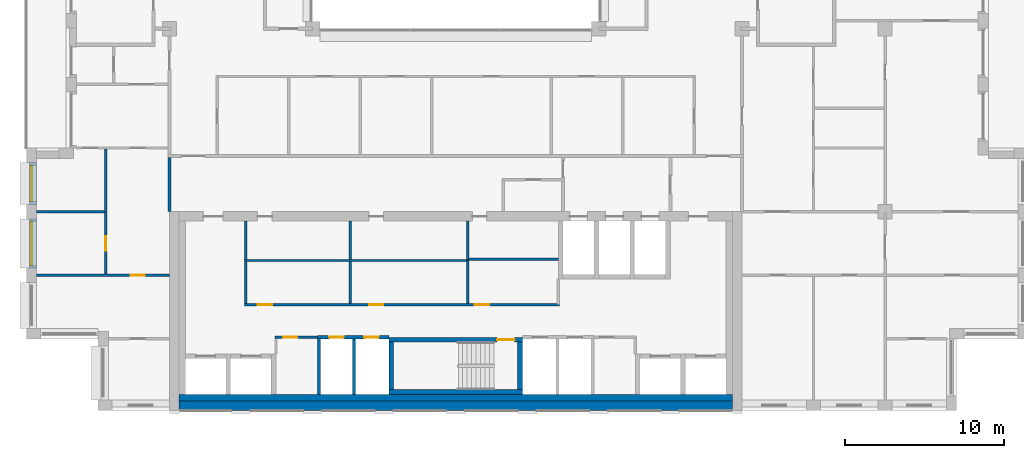
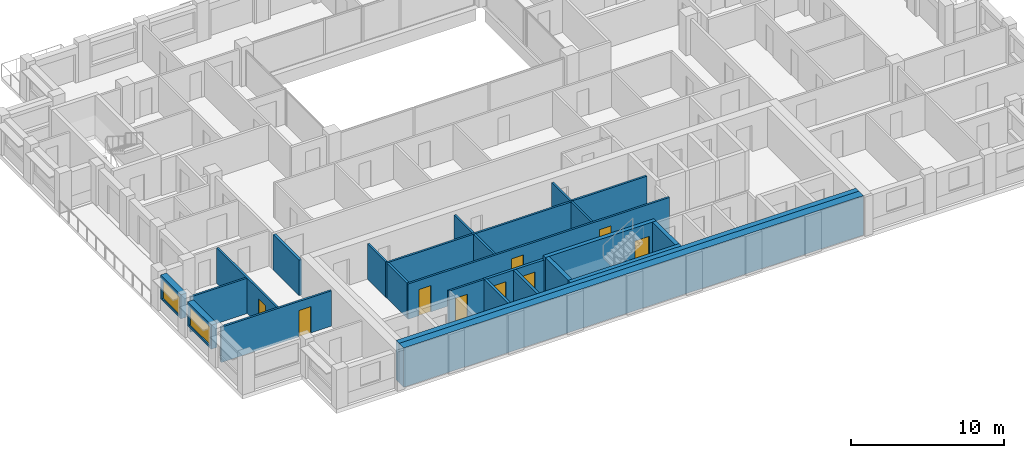
# One storey, part 8 of 15: 25 walls, 9 doors, 2 windows, 11 openings.
"""IFC4 building model written with IfcOpenShell, lengths in metres."""

from ifc_helpers import new_model, si_unit, direction, frame, frame_2d, origin, place, context, subcontext, project, spatial, rectangle, extrude, material, layer, layer_set, type_object, element, fill, save


model = new_model("IFC4")

# Units and contexts
model_context = context("Model", 3, precision=1e-05, world=origin(), true_north=direction((0.0, 1.0)))
body_context = subcontext(model_context, "Body", "Model", "MODEL_VIEW")
ifc_project = project(units=[si_unit("LENGTHUNIT", "METRE"), si_unit("AREAUNIT", "SQUARE_METRE"), si_unit("VOLUMEUNIT", "CUBIC_METRE"), si_unit("PLANEANGLEUNIT", "RADIAN"), si_unit("MASSUNIT", "GRAM", prefix="KILO")], contexts=[model_context])

# Site, building, storey
site_placement = place(None, origin())
site = spatial("IfcSite", under=ifc_project, at=site_placement, CompositionType="ELEMENT")
building_placement = place(site_placement, origin())
building = spatial("IfcBuilding", under=site, at=building_placement, Name="Brigalow Station Residences", CompositionType="ELEMENT")
storey_placement = place(building_placement, frame((0.0, 0.0, 229.5)))
storey = spatial("IfcBuildingStorey", under=building, at=storey_placement, Name="L66", CompositionType="ELEMENT", Elevation=229.5)

# Wall, opening, window
ifc_material_1 = material(Name="Clay brick masonry", Category="masonry")
ifc_layer_1 = layer(ifc_material_1, 0.449951171875)
ifc_layer_set_1 = layer_set([ifc_layer_1], Name="BRICK INFILL WALL 450")
wall_type_1 = type_object("IfcWallType", Name="BRICK INFILL WALL 450", PredefinedType="SOLIDWALL", material=ifc_layer_set_1)
wall_1_placement = place(storey_placement, frame((9.425048828125, 15.60009765625, 0.89990234375), z_axis=(0.0, 0.0, 1.0), x_axis=(0.0, -1.0, 0.0)))
wall_1 = element("IfcWall", 1, at=wall_1_placement, inside=storey, type_object=wall_type_1, Name="L66/ewall/W-L66-41", PredefinedType="SOLIDWALL", context=body_context, shape_type="SweptSolid", body=[
    extrude(rectangle(XDim=2.650146484375, YDim=0.449951171875, at=frame_2d((1.3251953125, 0.0))), origin(), (0.0, 0.0, 1.0), 1.93017578125),
])
opening_1_placement = place(wall_1_placement, frame((0.199951171875, 0.0, 0.14990234375)))
opening_1 = element("IfcOpeningElement", 2, at=opening_1_placement, cuts=wall_1, Name="Opening WT-6", PredefinedType="OPENING", context=body_context, shape_type="SweptSolid", body=[
    extrude(rectangle(XDim=2.25, YDim=1.5, at=frame_2d((1.125, 0.75))), frame((0.0, 0.23486328125, 0.0), z_axis=(0.0, -1.0, 0.0), x_axis=(1.0, 0.0, 0.0)), (0.0, 0.0, 1.0), 0.469970703125),
])
ifc_material_2 = material(Name="Anodised aluminium frame with double glazing", Category="aluminium")
window_type_1 = type_object("IfcWindowType", Name="WINDOW 2250x1500", PartitioningType="SINGLE_PANEL", PredefinedType="WINDOW", material=ifc_material_2)
window_1_placement = place(opening_1_placement, origin())
window_1 = element("IfcWindow", 3, at=window_1_placement, inside=storey, type_object=window_type_1, Name="L66/window/W-L66-41", OverallHeight=1.5, OverallWidth=2.25, PartitioningType="SINGLE_PANEL", PredefinedType="WINDOW", context=body_context, shape_type="SweptSolid", body=[
    extrude(rectangle(XDim=2.25, YDim=1.5, at=frame_2d((1.125, 0.75))), frame((0.0, -0.06494140625, 0.0), z_axis=(0.0, -1.0, 0.0), x_axis=(1.0, 0.0, 0.0)), (0.0, 0.0, 1.0), 0.06005859375),
])
fill(opening_1, window_1)

wall_2_placement = place(storey_placement, frame((9.425048828125, 12.050048828125, 0.89990234375), z_axis=(0.0, 0.0, 1.0), x_axis=(0.0, -1.0, 0.0)))
wall_2 = element("IfcWall", 4, at=wall_2_placement, inside=storey, type_object=wall_type_1, Name="L66/ewall/W-L66-42", PredefinedType="SOLIDWALL", context=body_context, shape_type="SweptSolid", body=[
    extrude(rectangle(XDim=3.10009765625, YDim=0.449951171875, at=frame_2d((1.550048828125, 0.0))), origin(), (0.0, 0.0, 1.0), 1.93017578125),
])
opening_2_placement = place(wall_2_placement, frame((0.175048828125, 0.0, 0.14990234375)))
opening_2 = element("IfcOpeningElement", 5, at=opening_2_placement, cuts=wall_2, Name="Opening WT-3", PredefinedType="OPENING", context=body_context, shape_type="SweptSolid", body=[
    extrude(rectangle(XDim=2.75, YDim=1.5, at=frame_2d((1.375, 0.75))), frame((0.0, 0.23486328125, 0.0), z_axis=(0.0, -1.0, 0.0), x_axis=(1.0, 0.0, 0.0)), (0.0, 0.0, 1.0), 0.469970703125),
])
ifc_material_3 = material(Name="Anodised aluminium frame with double glazing", Category="aluminium")
window_type_2 = type_object("IfcWindowType", Name="WINDOW 2750x1500", PartitioningType="SINGLE_PANEL", PredefinedType="WINDOW", material=ifc_material_3)
window_2_placement = place(opening_2_placement, origin())
window_2 = element("IfcWindow", 6, at=window_2_placement, inside=storey, type_object=window_type_2, Name="L66/window/W-L66-42", OverallHeight=1.5, OverallWidth=2.75, PartitioningType="SINGLE_PANEL", PredefinedType="WINDOW", context=body_context, shape_type="SweptSolid", body=[
    extrude(rectangle(XDim=2.75, YDim=1.5, at=frame_2d((1.375, 0.75))), frame((0.0, -0.06494140625, 0.0), z_axis=(0.0, -1.0, 0.0), x_axis=(1.0, 0.0, 0.0)), (0.0, 0.0, 1.0), 0.06005859375),
])
fill(opening_2, window_2)

# Wall
ifc_material_4 = material(Name="Concrete C50", Category="concrete")
ifc_layer_2 = layer(ifc_material_4, 0.300048828125)
ifc_layer_set_2 = layer_set([ifc_layer_2], Name="CORE SHEAR WALL 300 C50")
wall_type_2 = type_object("IfcWallType", Name="CORE SHEAR WALL 300 C50", PredefinedType="SHEAR", material=ifc_layer_set_2)
wall_3_placement = place(storey_placement, frame((31.800048828125, 1.14990234375, 0.0), z_axis=(0.0, 0.0, 1.0), x_axis=(1.0, 0.0, 0.0)))
element("IfcWall", 7, at=wall_3_placement, inside=storey, type_object=wall_type_2, Name="CORE WALL ST-S2-S L66", PredefinedType="SHEAR", context=body_context, shape_type="SweptSolid", body=[
    extrude(rectangle(XDim=8.39990234375, YDim=0.300048828125, at=frame_2d((4.199951171875, 0.0))), origin(), (0.0, 0.0, 1.0), 3.14990234375),
])

# Wall, opening, door
wall_4_placement = place(storey_placement, frame((31.800048828125, 4.449951171875, 0.0), z_axis=(0.0, 0.0, 1.0), x_axis=(1.0, 0.0, 0.0)))
wall_4 = element("IfcWall", 8, at=wall_4_placement, inside=storey, type_object=wall_type_2, Name="CORE WALL ST-S2-N L66", PredefinedType="SHEAR", context=body_context, shape_type="SweptSolid", body=[
    extrude(rectangle(XDim=8.39990234375, YDim=0.300048828125, at=frame_2d((4.199951171875, 0.0))), origin(), (0.0, 0.0, 1.0), 3.14990234375),
])
opening_3_placement = place(wall_4_placement, frame((6.800048828125, 0.0, 0.0)))
opening_3 = element("IfcOpeningElement", 9, at=opening_3_placement, cuts=wall_4, Name="Opening D-5001", PredefinedType="OPENING", context=body_context, shape_type="SweptSolid", body=[
    extrude(rectangle(XDim=1.10009765625, YDim=2.10009765625, at=frame_2d((0.550048828125, 1.050048828125))), frame((0.0, 0.16015625, 0.0), z_axis=(0.0, -1.0, 0.0), x_axis=(1.0, 0.0, 0.0)), (0.0, 0.0, 1.0), 0.320068359375),
])
ifc_material_5 = material(Name="Steel fire door leaf in steel frame", Category="steel")
door_type_1 = type_object("IfcDoorType", Name="STAIR DOOR 1100 x 2100 FD60S", OperationType="SINGLE_SWING_LEFT", PredefinedType="DOOR", material=ifc_material_5)
door_1_placement = place(opening_3_placement, frame((1.10009765625, 0.0, 0.0), z_axis=(0.0, 0.0, 1.0), x_axis=(-1.0, 0.0, 0.0)))
door_1 = element("IfcDoor", 10, at=door_1_placement, inside=storey, type_object=door_type_1, Name="D-5001", OperationType="SINGLE_SWING_LEFT", OverallHeight=2.10009765625, OverallWidth=1.10009765625, PredefinedType="DOOR", context=body_context, shape_type="SweptSolid", body=[
    extrude(rectangle(XDim=1.10009765625, YDim=2.10009765625, at=frame_2d((0.550048828125, 1.050048828125))), frame((0.0, 0.02490234375, 0.0), z_axis=(0.0, -1.0, 0.0), x_axis=(1.0, 0.0, 0.0)), (0.0, 0.0, 1.0), 0.050048828125),
])
fill(opening_3, door_1)

# Walls
for number, where, z_axis, x_axis, name in (
    (11, (31.949951171875, 1.300048828125, 0.0), (0.0, 0.0, 1.0), (0.0, 1.0, 0.0), "CORE WALL ST-S2-W L66"),
    (12, (40.050048828125, 1.300048828125, 0.0), (0.0, 0.0, 1.0), (0.0, 1.0, 0.0), "CORE WALL ST-S2-E L66"),
):
    element("IfcWall", number, at=place(storey_placement, frame(where, z_axis=z_axis, x_axis=x_axis)), inside=storey, type_object=wall_type_2, Name=name, PredefinedType="SHEAR", context=body_context, shape_type="SweptSolid", body=[
        extrude(rectangle(XDim=3.0, YDim=0.300048828125, at=frame_2d((1.5, 0.0))), origin(), (0.0, 0.0, 1.0), 3.14990234375),
    ])
ifc_material_6 = material(Name="Concrete C50", Category="concrete")
ifc_layer_3 = layer(ifc_material_6, 0.39990234375)
ifc_layer_set_3 = layer_set([ifc_layer_3], Name="CORE SHEAR WALL 400 C50")
wall_type_3 = type_object("IfcWallType", Name="CORE SHEAR WALL 400 C50", PredefinedType="SHEAR", material=ifc_layer_set_3)
wall_5_placement = place(storey_placement, frame((18.60009765625, 0.800048828125, 0.0), z_axis=(0.0, 0.0, 1.0), x_axis=(1.0, 0.0, 0.0)))
element("IfcWall", 13, at=wall_5_placement, inside=storey, type_object=wall_type_3, Name="CORE WALL LIN-S L66", PredefinedType="SHEAR", context=body_context, shape_type="SweptSolid", body=[
    extrude(rectangle(XDim=34.7998046875, YDim=0.39990234375, at=frame_2d((17.39990234375, 0.0))), origin(), (0.0, 0.0, 1.0), 3.14990234375),
])
ifc_material_7 = material(Name="Concrete C50", Category="concrete")
ifc_layer_4 = layer(ifc_material_7, 0.60009765625)
ifc_layer_set_4 = layer_set([ifc_layer_4], Name="CORE SHEAR WALL 600 C50")
wall_type_4 = type_object("IfcWallType", Name="CORE SHEAR WALL 600 C50", PredefinedType="SHEAR", material=ifc_layer_set_4)
wall_6_placement = place(storey_placement, frame((18.60009765625, 0.300048828125, 0.0), z_axis=(0.0, 0.0, 1.0), x_axis=(1.0, 0.0, 0.0)))
element("IfcWall", 14, at=wall_6_placement, inside=storey, type_object=wall_type_4, Name="CORE WALL OUT-S L66", PredefinedType="SHEAR", context=body_context, shape_type="SweptSolid", body=[
    extrude(rectangle(XDim=34.7998046875, YDim=0.60009765625, at=frame_2d((17.39990234375, 0.0))), origin(), (0.0, 0.0, 1.0), 3.14990234375),
])

# Wall, openings, doors
ifc_material_8 = material(Name="Concrete blockwork", Category="masonry")
ifc_layer_5 = layer(ifc_material_8, 0.199951171875)
ifc_layer_set_5 = layer_set([ifc_layer_5], Name="FIRE RATED CORE PARTITION 200")
wall_type_5 = type_object("IfcWallType", Name="FIRE RATED CORE PARTITION 200", PredefinedType="PARTITIONING", material=ifc_layer_set_5)
wall_7_placement = place(storey_placement, frame((27.300048828125, 4.60009765625, 0.0), z_axis=(0.0, 0.0, 1.0), x_axis=(1.0, 0.0, 0.0)))
wall_7 = element("IfcWall", 15, at=wall_7_placement, inside=storey, type_object=wall_type_5, Name="PW-5017", PredefinedType="PARTITIONING", context=body_context, shape_type="SweptSolid", body=[
    extrude(rectangle(XDim=4.5, YDim=0.199951171875, at=frame_2d((2.25, 0.0))), origin(), (0.0, 0.0, 1.0), 2.830078125),
])
opening_4_placement = place(wall_7_placement, frame((0.75, 0.0, 0.0)))
opening_4 = element("IfcOpeningElement", 16, at=opening_4_placement, cuts=wall_7, Name="Opening D-5007", PredefinedType="OPENING", context=body_context, shape_type="SweptSolid", body=[
    extrude(rectangle(XDim=0.89990234375, YDim=2.10009765625, at=frame_2d((0.449951171875, 1.050048828125))), frame((0.0, 0.10986328125, 0.0), z_axis=(0.0, -1.0, 0.0), x_axis=(1.0, 0.0, 0.0)), (0.0, 0.0, 1.0), 0.219970703125),
])
opening_5_placement = place(wall_7_placement, frame((2.949951171875, 0.0, 0.0)))
opening_5 = element("IfcOpeningElement", 17, at=opening_5_placement, cuts=wall_7, Name="Opening D-5008", PredefinedType="OPENING", context=body_context, shape_type="SweptSolid", body=[
    extrude(rectangle(XDim=0.89990234375, YDim=2.10009765625, at=frame_2d((0.449951171875, 1.050048828125))), frame((0.0, 0.10986328125, 0.0), z_axis=(0.0, -1.0, 0.0), x_axis=(1.0, 0.0, 0.0)), (0.0, 0.0, 1.0), 0.219970703125),
])
ifc_material_9 = material(Name="Steel fire door leaf in steel frame", Category="steel")
door_type_2 = type_object("IfcDoorType", Name="RISER ACCESS DOOR 900 x 2100 FD120", OperationType="SINGLE_SWING_LEFT", PredefinedType="DOOR", material=ifc_material_9)
door_2_placement = place(opening_4_placement, frame((0.89990234375, 0.0, 0.0), z_axis=(0.0, 0.0, 1.0), x_axis=(-1.0, 0.0, 0.0)))
door_2 = element("IfcDoor", 18, at=door_2_placement, inside=storey, type_object=door_type_2, Name="D-5007", OperationType="SINGLE_SWING_RIGHT", OverallHeight=2.10009765625, OverallWidth=0.89990234375, PredefinedType="DOOR", context=body_context, shape_type="SweptSolid", body=[
    extrude(rectangle(XDim=0.89990234375, YDim=2.10009765625, at=frame_2d((0.449951171875, 1.050048828125))), frame((0.0, 0.02490234375, 0.0), z_axis=(0.0, -1.0, 0.0), x_axis=(1.0, 0.0, 0.0)), (0.0, 0.0, 1.0), 0.050048828125),
])
fill(opening_4, door_2)
door_3_placement = place(opening_5_placement, frame((0.89990234375, 0.0, 0.0), z_axis=(0.0, 0.0, 1.0), x_axis=(-1.0, 0.0, 0.0)))
door_3 = element("IfcDoor", 19, at=door_3_placement, inside=storey, type_object=door_type_2, Name="D-5008", OperationType="SINGLE_SWING_RIGHT", OverallHeight=2.10009765625, OverallWidth=0.89990234375, PredefinedType="DOOR", context=body_context, shape_type="SweptSolid", body=[
    extrude(rectangle(XDim=0.89990234375, YDim=2.10009765625, at=frame_2d((0.449951171875, 1.050048828125))), frame((0.0, 0.02490234375, 0.0), z_axis=(0.0, -1.0, 0.0), x_axis=(1.0, 0.0, 0.0)), (0.0, 0.0, 1.0), 0.050048828125),
])
fill(opening_5, door_3)

# Walls
wall_8_placement = place(storey_placement, frame((27.39990234375, 1.0, 0.0), z_axis=(0.0, 0.0, 1.0), x_axis=(0.0, 1.0, 0.0)))
element("IfcWall", 20, at=wall_8_placement, inside=storey, type_object=wall_type_5, Name="PW-5027", PredefinedType="PARTITIONING", context=body_context, shape_type="SweptSolid", body=[
    extrude(rectangle(XDim=3.52490234375, YDim=0.199951171875, at=frame_2d((1.762451171875, 0.0))), origin(), (0.0, 0.0, 1.0), 2.830078125),
])
wall_9_placement = place(storey_placement, frame((29.60009765625, 1.0, 0.0), z_axis=(0.0, 0.0, 1.0), x_axis=(0.0, 1.0, 0.0)))
element("IfcWall", 21, at=wall_9_placement, inside=storey, type_object=wall_type_5, Name="PW-5006", PredefinedType="PARTITIONING", context=body_context, shape_type="SweptSolid", body=[
    extrude(rectangle(XDim=3.5, YDim=0.199951171875, at=frame_2d((1.75, 0.0))), origin(), (0.0, 0.0, 1.0), 2.830078125),
])
wall_10_placement = place(storey_placement, frame((18.0, 12.5, 0.0), z_axis=(0.0, 0.0, 1.0), x_axis=(0.0, 1.0, 0.0)))
element("IfcWall", 22, at=wall_10_placement, inside=storey, type_object=wall_type_5, Name="PW-5013", PredefinedType="PARTITIONING", context=body_context, shape_type="SweptSolid", body=[
    extrude(rectangle(XDim=3.39990234375, YDim=0.199951171875, at=frame_2d((1.699951171875, 0.0))), origin(), (0.0, 0.0, 1.0), 2.830078125),
])
ifc_material_10 = material(Name="Plasterboard on steel stud partition", Category="steel")
ifc_layer_6 = layer(ifc_material_10, 0.14990234375)
ifc_layer_set_6 = layer_set([ifc_layer_6], Name="FLAT PARTITION 150")
wall_type_6 = type_object("IfcWallType", Name="FLAT PARTITION 150", PredefinedType="PARTITIONING", material=ifc_layer_set_6)
wall_11_placement = place(storey_placement, frame((9.64990234375, 12.5, 0.0), z_axis=(0.0, 0.0, 1.0), x_axis=(1.0, 0.0, 0.0)))
element("IfcWall", 23, at=wall_11_placement, inside=storey, type_object=wall_type_6, Name="PW-4E11", PredefinedType="PARTITIONING", context=body_context, shape_type="SweptSolid", body=[
    extrude(rectangle(XDim=4.275146484375, YDim=0.14990234375, at=frame_2d((2.1376953125, 0.0))), origin(), (0.0, 0.0, 1.0), 2.830078125),
])

# Wall, opening, door
wall_12_placement = place(storey_placement, frame((9.64990234375, 8.5, 0.0), z_axis=(0.0, 0.0, 1.0), x_axis=(1.0, 0.0, 0.0)))
wall_12 = element("IfcWall", 24, at=wall_12_placement, inside=storey, type_object=wall_type_6, Name="PW-4E13", PredefinedType="PARTITIONING", context=body_context, shape_type="SweptSolid", body=[
    extrude(rectangle(XDim=8.35009765625, YDim=0.14990234375, at=frame_2d((4.175048828125, 0.0))), origin(), (0.0, 0.0, 1.0), 2.830078125),
])
opening_6_placement = place(wall_12_placement, frame((5.89990234375, 0.0, 0.0)))
opening_6 = element("IfcOpeningElement", 25, at=opening_6_placement, cuts=wall_12, Name="Opening D-4E09", PredefinedType="OPENING", context=body_context, shape_type="SweptSolid", body=[
    extrude(rectangle(XDim=0.89990234375, YDim=2.10009765625, at=frame_2d((0.449951171875, 1.050048828125))), frame((0.0, 0.0849609375, 0.0), z_axis=(0.0, -1.0, 0.0), x_axis=(1.0, 0.0, 0.0)), (0.0, 0.0, 1.0), 0.169921875),
])
ifc_material_11 = material(Name="Solid-core timber door leaf", Category="wood")
door_type_3 = type_object("IfcDoorType", Name="INTERNAL DOOR 900 x 2100", OperationType="SINGLE_SWING_LEFT", PredefinedType="DOOR", material=ifc_material_11)
door_4_placement = place(opening_6_placement, frame((0.89990234375, 0.0, 0.0), z_axis=(0.0, 0.0, 1.0), x_axis=(-1.0, 0.0, 0.0)))
door_4 = element("IfcDoor", 26, at=door_4_placement, inside=storey, type_object=door_type_3, Name="D-4E09", OperationType="SINGLE_SWING_LEFT", OverallHeight=2.10009765625, OverallWidth=0.89990234375, PredefinedType="DOOR", context=body_context, shape_type="SweptSolid", body=[
    extrude(rectangle(XDim=0.89990234375, YDim=2.10009765625, at=frame_2d((0.449951171875, 1.050048828125))), frame((0.0, 0.02490234375, 0.0), z_axis=(0.0, -1.0, 0.0), x_axis=(1.0, 0.0, 0.0)), (0.0, 0.0, 1.0), 0.050048828125),
])
fill(opening_6, door_4)

wall_13_placement = place(storey_placement, frame((14.0, 8.574951171875, 0.0), z_axis=(0.0, 0.0, 1.0), x_axis=(0.0, 1.0, 0.0)))
wall_13 = element("IfcWall", 27, at=wall_13_placement, inside=storey, type_object=wall_type_6, Name="PW-4E40", PredefinedType="PARTITIONING", context=body_context, shape_type="SweptSolid", body=[
    extrude(rectangle(XDim=7.85009765625, YDim=0.14990234375, at=frame_2d((3.925048828125, 0.0))), origin(), (0.0, 0.0, 1.0), 2.830078125),
])
opening_7_placement = place(wall_13_placement, frame((1.47509765625, 0.0, 0.0)))
opening_7 = element("IfcOpeningElement", 28, at=opening_7_placement, cuts=wall_13, Name="Opening D-4E08", PredefinedType="OPENING", context=body_context, shape_type="SweptSolid", body=[
    extrude(rectangle(XDim=0.89990234375, YDim=2.10009765625, at=frame_2d((0.449951171875, 1.050048828125))), frame((0.0, 0.0849609375, 0.0), z_axis=(0.0, -1.0, 0.0), x_axis=(1.0, 0.0, 0.0)), (0.0, 0.0, 1.0), 0.169921875),
])
door_5_placement = place(opening_7_placement, origin())
door_5 = element("IfcDoor", 29, at=door_5_placement, inside=storey, type_object=door_type_3, Name="D-4E08", OperationType="SINGLE_SWING_RIGHT", OverallHeight=2.10009765625, OverallWidth=0.89990234375, PredefinedType="DOOR", context=body_context, shape_type="SweptSolid", body=[
    extrude(rectangle(XDim=0.89990234375, YDim=2.10009765625, at=frame_2d((0.449951171875, 1.050048828125))), frame((0.0, 0.02490234375, 0.0), z_axis=(0.0, -1.0, 0.0), x_axis=(1.0, 0.0, 0.0)), (0.0, 0.0, 1.0), 0.050048828125),
])
fill(opening_7, door_5)

ifc_material_12 = material(Name="Plasterboard on steel studs", Category="steel")
ifc_layer_7 = layer(ifc_material_12, 0.14990234375)
ifc_layer_set_7 = layer_set([ifc_layer_7], Name="SERVICE ROOM PARTITION 150")
wall_type_7 = type_object("IfcWallType", Name="SERVICE ROOM PARTITION 150", PredefinedType="PARTITIONING", material=ifc_layer_set_7)
wall_14_placement = place(storey_placement, frame((24.625, 4.60009765625, 0.0), z_axis=(0.0, 0.0, 1.0), x_axis=(1.0, 0.0, 0.0)))
wall_14 = element("IfcWall", 30, at=wall_14_placement, inside=storey, type_object=wall_type_7, Name="PW-5155", PredefinedType="PARTITIONING", context=body_context, shape_type="SweptSolid", body=[
    extrude(rectangle(XDim=2.675048828125, YDim=0.14990234375, at=frame_2d((1.33740234375, 0.0))), origin(), (0.0, 0.0, 1.0), 2.830078125),
])
opening_8_placement = place(wall_14_placement, frame((0.52490234375, 0.0, 0.0)))
opening_8 = element("IfcOpeningElement", 31, at=opening_8_placement, cuts=wall_14, Name="Opening D-5087", PredefinedType="OPENING", context=body_context, shape_type="SweptSolid", body=[
    extrude(rectangle(XDim=0.89990234375, YDim=2.10009765625, at=frame_2d((0.449951171875, 1.050048828125))), frame((0.0, 0.0849609375, 0.0), z_axis=(0.0, -1.0, 0.0), x_axis=(1.0, 0.0, 0.0)), (0.0, 0.0, 1.0), 0.169921875),
])
ifc_material_13 = material(Name="Steel door leaf in steel frame", Category="steel")
door_type_4 = type_object("IfcDoorType", Name="SERVICE ROOM DOOR 900 x 2100 FD60", OperationType="SINGLE_SWING_LEFT", PredefinedType="DOOR", material=ifc_material_13)
door_6_placement = place(opening_8_placement, frame((0.89990234375, 0.0, 0.0), z_axis=(0.0, 0.0, 1.0), x_axis=(-1.0, 0.0, 0.0)))
door_6 = element("IfcDoor", 32, at=door_6_placement, inside=storey, type_object=door_type_4, Name="D-5087", OperationType="SINGLE_SWING_RIGHT", OverallHeight=2.10009765625, OverallWidth=0.89990234375, PredefinedType="DOOR", context=body_context, shape_type="SweptSolid", body=[
    extrude(rectangle(XDim=0.89990234375, YDim=2.10009765625, at=frame_2d((0.449951171875, 1.050048828125))), frame((0.0, 0.02490234375, 0.0), z_axis=(0.0, -1.0, 0.0), x_axis=(1.0, 0.0, 0.0)), (0.0, 0.0, 1.0), 0.050048828125),
])
fill(opening_8, door_6)

# Wall, openings, doors
wall_15_placement = place(storey_placement, frame((22.72509765625, 6.64990234375, 0.0), z_axis=(0.0, 0.0, 1.0), x_axis=(1.0, 0.0, 0.0)))
wall_15 = element("IfcWall", 33, at=wall_15_placement, inside=storey, type_object=wall_type_7, Name="PW-5195", PredefinedType="PARTITIONING", context=body_context, shape_type="SweptSolid", body=[
    extrude(rectangle(XDim=19.7998046875, YDim=0.14990234375, at=frame_2d((9.89990234375, 0.0))), origin(), (0.0, 0.0, 1.0), 2.830078125),
])
opening_9_placement = place(wall_15_placement, frame((0.824951171875, 0.0, 0.0)))
opening_9 = element("IfcOpeningElement", 34, at=opening_9_placement, cuts=wall_15, Name="Opening D-5110", PredefinedType="OPENING", context=body_context, shape_type="SweptSolid", body=[
    extrude(rectangle(XDim=0.89990234375, YDim=2.10009765625, at=frame_2d((0.449951171875, 1.050048828125))), frame((0.0, 0.0849609375, 0.0), z_axis=(0.0, -1.0, 0.0), x_axis=(1.0, 0.0, 0.0)), (0.0, 0.0, 1.0), 0.169921875),
])
opening_10_placement = place(wall_15_placement, frame((7.824951171875, 0.0, 0.0)))
opening_10 = element("IfcOpeningElement", 35, at=opening_10_placement, cuts=wall_15, Name="Opening D-5123", PredefinedType="OPENING", context=body_context, shape_type="SweptSolid", body=[
    extrude(rectangle(XDim=0.89990234375, YDim=2.10009765625, at=frame_2d((0.449951171875, 1.050048828125))), frame((0.0, 0.0849609375, 0.0), z_axis=(0.0, -1.0, 0.0), x_axis=(1.0, 0.0, 0.0)), (0.0, 0.0, 1.0), 0.169921875),
])
opening_11_placement = place(wall_15_placement, frame((14.47509765625, 0.0, 0.0)))
opening_11 = element("IfcOpeningElement", 36, at=opening_11_placement, cuts=wall_15, Name="Opening D-5114", PredefinedType="OPENING", context=body_context, shape_type="SweptSolid", body=[
    extrude(rectangle(XDim=0.89990234375, YDim=2.10009765625, at=frame_2d((0.449951171875, 1.050048828125))), frame((0.0, 0.0849609375, 0.0), z_axis=(0.0, -1.0, 0.0), x_axis=(1.0, 0.0, 0.0)), (0.0, 0.0, 1.0), 0.169921875),
])
door_7_placement = place(opening_9_placement, origin())
door_7 = element("IfcDoor", 37, at=door_7_placement, inside=storey, type_object=door_type_4, Name="D-5110", OperationType="SINGLE_SWING_LEFT", OverallHeight=2.10009765625, OverallWidth=0.89990234375, PredefinedType="DOOR", context=body_context, shape_type="SweptSolid", body=[
    extrude(rectangle(XDim=0.89990234375, YDim=2.10009765625, at=frame_2d((0.449951171875, 1.050048828125))), frame((0.0, 0.02490234375, 0.0), z_axis=(0.0, -1.0, 0.0), x_axis=(1.0, 0.0, 0.0)), (0.0, 0.0, 1.0), 0.050048828125),
])
fill(opening_9, door_7)
door_8_placement = place(opening_10_placement, origin())
door_8 = element("IfcDoor", 38, at=door_8_placement, inside=storey, type_object=door_type_4, Name="D-5123", OperationType="SINGLE_SWING_LEFT", OverallHeight=2.10009765625, OverallWidth=0.89990234375, PredefinedType="DOOR", context=body_context, shape_type="SweptSolid", body=[
    extrude(rectangle(XDim=0.89990234375, YDim=2.10009765625, at=frame_2d((0.449951171875, 1.050048828125))), frame((0.0, 0.02490234375, 0.0), z_axis=(0.0, -1.0, 0.0), x_axis=(1.0, 0.0, 0.0)), (0.0, 0.0, 1.0), 0.050048828125),
])
fill(opening_10, door_8)
door_9_placement = place(opening_11_placement, origin())
door_9 = element("IfcDoor", 39, at=door_9_placement, inside=storey, type_object=door_type_4, Name="D-5114", OperationType="SINGLE_SWING_LEFT", OverallHeight=2.10009765625, OverallWidth=0.89990234375, PredefinedType="DOOR", context=body_context, shape_type="SweptSolid", body=[
    extrude(rectangle(XDim=0.89990234375, YDim=2.10009765625, at=frame_2d((0.449951171875, 1.050048828125))), frame((0.0, 0.02490234375, 0.0), z_axis=(0.0, -1.0, 0.0), x_axis=(1.0, 0.0, 0.0)), (0.0, 0.0, 1.0), 0.050048828125),
])
fill(opening_11, door_9)

# Walls
wall_16_placement = place(storey_placement, frame((22.72509765625, 9.429931640625, 0.0), z_axis=(0.0, 0.0, 1.0), x_axis=(1.0, 0.0, 0.0)))
element("IfcWall", 40, at=wall_16_placement, inside=storey, type_object=wall_type_7, Name="PW-5236", PredefinedType="PARTITIONING", context=body_context, shape_type="SweptSolid", body=[
    extrude(rectangle(XDim=14.099853515625, YDim=0.14990234375, at=frame_2d((7.0498046875, 0.0))), origin(), (0.0, 0.0, 1.0), 2.830078125),
])
wall_17_placement = place(storey_placement, frame((36.675048828125, 9.5, 0.0), z_axis=(0.0, 0.0, 1.0), x_axis=(1.0, 0.0, 0.0)))
element("IfcWall", 41, at=wall_17_placement, inside=storey, type_object=wall_type_7, Name="PW-5215", PredefinedType="PARTITIONING", context=body_context, shape_type="SweptSolid", body=[
    extrude(rectangle(XDim=5.77490234375, YDim=0.14990234375, at=frame_2d((2.887451171875, 0.0))), origin(), (0.0, 0.0, 1.0), 2.830078125),
])
for number, where, z_axis, x_axis, name in (
    (42, (22.800048828125, 6.72509765625, 0.0), (0.0, 0.0, 1.0), (0.0, 1.0, 0.0), "PW-5237"),
    (43, (29.3701171875, 6.72509765625, 0.0), (0.0, 0.0, 1.0), (0.0, 1.0, 0.0), "PW-5238"),
):
    element("IfcWall", number, at=place(storey_placement, frame(where, z_axis=z_axis, x_axis=x_axis)), inside=storey, type_object=wall_type_7, Name=name, PredefinedType="PARTITIONING", context=body_context, shape_type="SweptSolid", body=[
        extrude(rectangle(XDim=2.6298828125, YDim=0.14990234375, at=frame_2d((1.31494140625, 0.0))), origin(), (0.0, 0.0, 1.0), 2.830078125),
    ])
wall_18_placement = place(storey_placement, frame((36.75, 6.72509765625, 0.0), z_axis=(0.0, 0.0, 1.0), x_axis=(0.0, 1.0, 0.0)))
element("IfcWall", 44, at=wall_18_placement, inside=storey, type_object=wall_type_7, Name="PW-5239", PredefinedType="PARTITIONING", context=body_context, shape_type="SweptSolid", body=[
    extrude(rectangle(XDim=2.699951171875, YDim=0.14990234375, at=frame_2d((1.35009765625, 0.0))), origin(), (0.0, 0.0, 1.0), 2.830078125),
])
for number, where, z_axis, x_axis, name in (
    (45, (22.800048828125, 9.5048828125, 0.0), (0.0, 0.0, 1.0), (0.0, 1.0, 0.0), "PW-5240"),
    (46, (29.3701171875, 9.5048828125, 0.0), (0.0, 0.0, 1.0), (0.0, 1.0, 0.0), "PW-5241"),
    (47, (36.75, 9.5048828125, 0.0), (0.0, 0.0, 1.0), (0.0, 1.0, 0.0), "PW-5242"),
):
    element("IfcWall", number, at=place(storey_placement, frame(where, z_axis=z_axis, x_axis=x_axis)), inside=storey, type_object=wall_type_7, Name=name, PredefinedType="PARTITIONING", context=body_context, shape_type="SweptSolid", body=[
        extrude(rectangle(XDim=2.39501953125, YDim=0.14990234375, at=frame_2d((1.197509765625, 0.0))), origin(), (0.0, 0.0, 1.0), 2.830078125),
    ])

save(model, "model.ifc")
